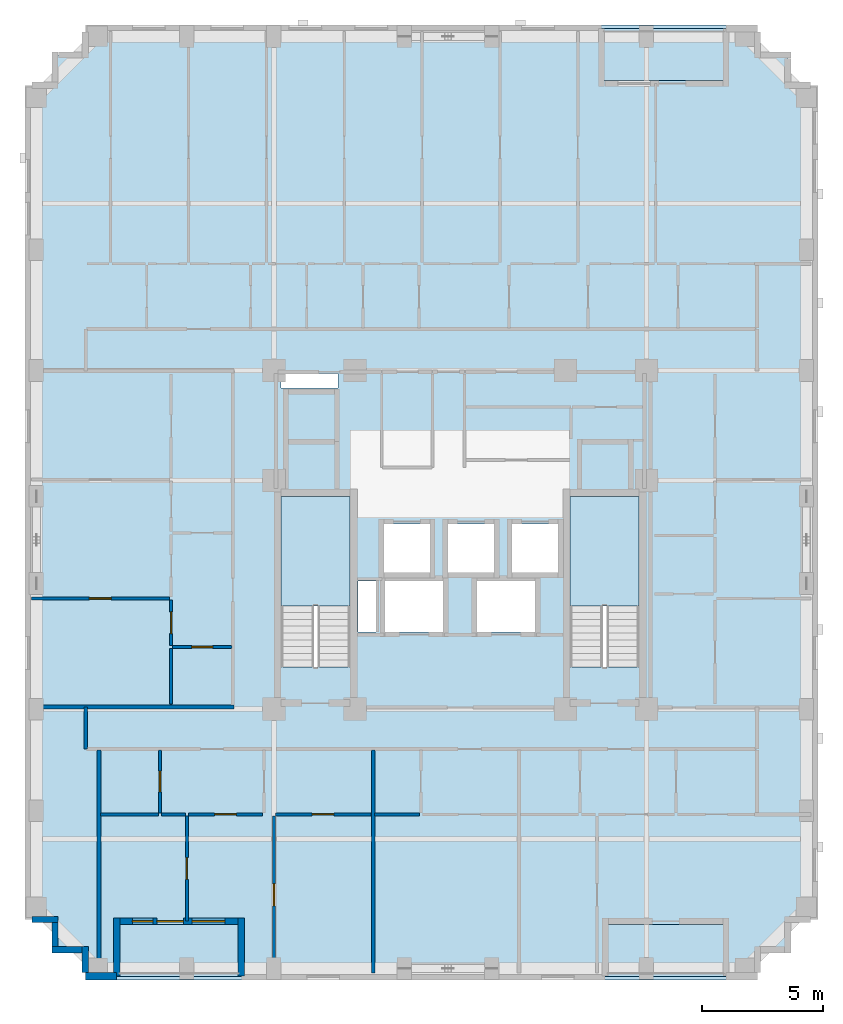
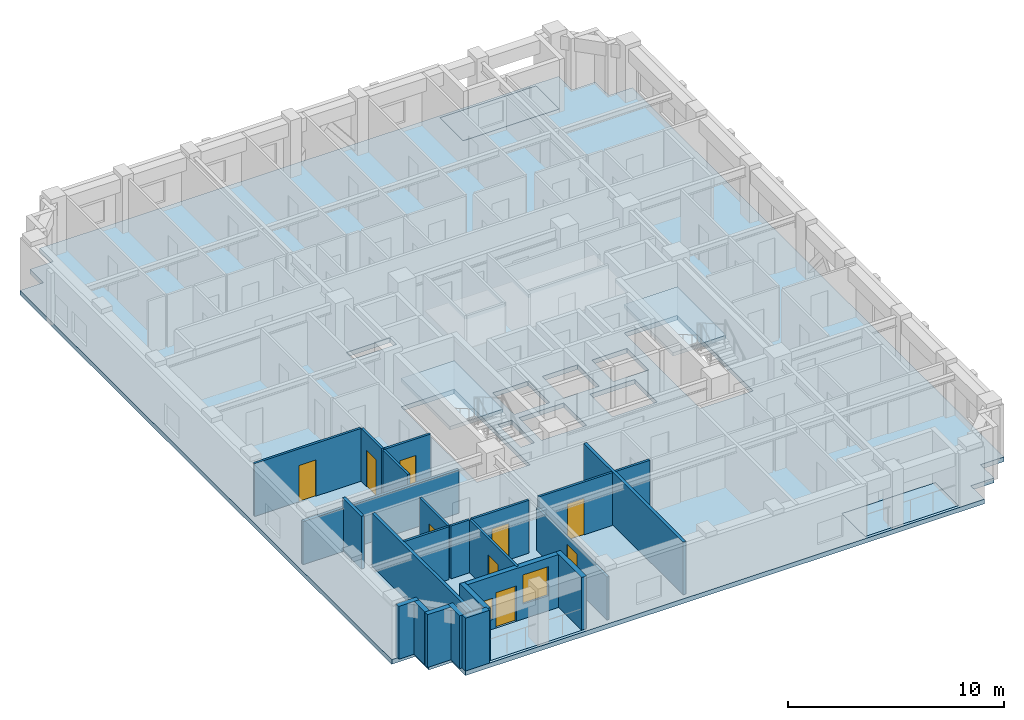
# One storey, part 2 of 11: 24 walls, 9 doors, 6 slabs, 2 windows, 11 openings, 2 elements without a shape of their own.
"""IFC4 building model written with IfcOpenShell, lengths in metres."""

import ifcopenshell
import ifcopenshell.guid

model = None  # the IFC model being written
_history = None  # IfcOwnerHistory: only IFC2X3 demands one
_inside = {}  # id of a spatial element -> (the spatial element, [elements in it])
_under = {}  # id of a project, library or spatial element -> (it, [spatial elements below it])
_declared = {}  # id of a project -> (the project, [libraries it declares])
_typed = {}  # id of a type object -> (the type object, [elements of that type])
_made_of = {}  # id of a material, layer set ... -> (it, [elements and type objects made of it])


def new_model(schema):
    """Start an empty IFC model of exactly this schema.

    Asked for "IFC4X3", IfcOpenShell would pick the latest addendum, in which some entities
    have other attributes; the version numbers below select the first issue.
    IFC2X3 requires an IfcOwnerHistory on every rooted entity: one is made here for all.
    """
    global model, _history
    if schema == "IFC4X3":
        model = ifcopenshell.file(schema_version=(4, 3, 0, 0))
    else:
        model = ifcopenshell.file(schema=schema)
    _inside.clear()
    _under.clear()
    _declared.clear()
    _typed.clear()
    _made_of.clear()
    _history = None
    if model.schema == "IFC2X3":
        org = make("IfcOrganization", Name="unknown")
        user = make(
            "IfcPersonAndOrganization",
            ThePerson=make("IfcPerson", FamilyName="unknown"),
            TheOrganization=org,
        )
        app = make(
            "IfcApplication",
            ApplicationDeveloper=org,
            Version="unknown",
            ApplicationFullName="unknown",
            ApplicationIdentifier="unknown",
        )
        _history = make(
            "IfcOwnerHistory",
            OwningUser=user,
            OwningApplication=app,
            ChangeAction="ADDED",
            CreationDate=0,
        )
    return model


def make(cls, **values):
    """One entity of the class cls with the attributes given. An attribute that is None is left unset."""
    return model.create_entity(
        cls, **{name: value for name, value in values.items() if value is not None}
    )


def rooted(cls, **values):
    """An entity with a GlobalId (a new one), such as an element, a storey or a relation."""
    return make(cls, GlobalId=ifcopenshell.guid.new(), OwnerHistory=_history, **values)


def si_unit(unit_type, name, prefix=None):
    """IfcSIUnit, for example si_unit("LENGTHUNIT", "METRE", prefix="MILLI")."""
    return make("IfcSIUnit", UnitType=unit_type, Prefix=prefix, Name=name)


def derived_unit(unit_type, elements):
    """IfcDerivedUnit: a product of units, each with its exponent."""
    return make(
        "IfcDerivedUnit",
        Elements=[
            make("IfcDerivedUnitElement", Unit=unit, Exponent=power)
            for unit, power in elements
        ],
        UnitType=unit_type,
    )


def assignment(units):
    """IfcUnitAssignment: the units of a project."""
    return None if units is None else make("IfcUnitAssignment", Units=units)


def point(xyz):
    """IfcCartesianPoint."""
    return None if xyz is None else make("IfcCartesianPoint", Coordinates=xyz)


def direction(xyz):
    """IfcDirection."""
    return None if xyz is None else make("IfcDirection", DirectionRatios=xyz)


def frame(location, z_axis=None, x_axis=None):
    """IfcAxis2Placement3D, a coordinate frame: its origin and axes. An axis left out is left unset."""
    return make(
        "IfcAxis2Placement3D",
        Location=point(location),
        Axis=direction(z_axis),
        RefDirection=direction(x_axis),
    )


def frame_2d(location, x_axis=None):
    """IfcAxis2Placement2D, a coordinate frame in the plane: its origin and x axis."""
    return make(
        "IfcAxis2Placement2D", Location=point(location), RefDirection=direction(x_axis)
    )


def origin():
    """The frame at (0, 0, 0) with its axes left unset."""
    return frame((0.0, 0.0, 0.0))


def place(relative_to, where):
    """IfcLocalPlacement: puts the frame where relative to a parent placement (None: the world)."""
    return make(
        "IfcLocalPlacement", PlacementRelTo=relative_to, RelativePlacement=where
    )


def context(
    kind, dimensions, precision=None, world=None, true_north=None, identifier=None
):
    """IfcGeometricRepresentationContext, for example the 3D "Model" context."""
    return make(
        "IfcGeometricRepresentationContext",
        ContextIdentifier=identifier,
        ContextType=kind,
        CoordinateSpaceDimension=dimensions,
        Precision=precision,
        WorldCoordinateSystem=world,
        TrueNorth=true_north,
    )


def subcontext(parent, identifier, kind, view, scale=None):
    """IfcGeometricRepresentationSubContext, for example "Body" below "Model"."""
    return make(
        "IfcGeometricRepresentationSubContext",
        ContextIdentifier=identifier,
        ContextType=kind,
        ParentContext=parent,
        TargetScale=scale,
        TargetView=view,
    )


def project(units=None, contexts=None):
    """IfcProject with its units and contexts."""
    return rooted(
        "IfcProject",
        Name="project",
        RepresentationContexts=contexts,
        UnitsInContext=assignment(units),
    )


def spatial(cls, under=None, at=None, **own):
    """A site, building, storey or space (cls), placed at a placement, below another one or the project."""
    s = rooted(cls, ObjectPlacement=at, **own)
    if under is not None:
        _under.setdefault(under.id(), (under, []))[1].append(s)
    return s


def polyline(points):
    """IfcPolyline through the points."""
    return make("IfcPolyline", Points=[point(p) for p in points])


def profile(cls, at=None, kind="AREA", **sizes):
    """A parametric profile (cls). Its sizes go by their IFC names, for example OverallWidth=200.0."""
    return make(cls, ProfileType=kind, Position=at, **sizes)


def rectangle(**sizes):
    """IfcRectangleProfileDef."""
    return profile("IfcRectangleProfileDef", **sizes)


def outline(outer, holes=None, kind="AREA"):
    """IfcArbitraryClosedProfileDef: a profile drawn as a closed curve; with holes, ...WithVoids."""
    if holes is None:
        return make("IfcArbitraryClosedProfileDef", ProfileType=kind, OuterCurve=outer)
    return make(
        "IfcArbitraryProfileDefWithVoids",
        ProfileType=kind,
        OuterCurve=outer,
        InnerCurves=holes,
    )


def extrude(swept, where, along, depth):
    """IfcExtrudedAreaSolid: the profile swept, set in the frame where, extruded along a direction by depth."""
    return make(
        "IfcExtrudedAreaSolid",
        SweptArea=swept,
        Position=where,
        ExtrudedDirection=direction(along),
        Depth=depth,
    )


def shape(context_of_items, identifier, shape_type, items):
    """IfcShapeRepresentation: the items that make up one representation, for example the "Body"."""
    return make(
        "IfcShapeRepresentation",
        ContextOfItems=context_of_items,
        RepresentationIdentifier=identifier,
        RepresentationType=shape_type,
        Items=items,
    )


def material(Name=None, Category=None):
    """IfcMaterial."""
    return make("IfcMaterial", Name=Name, Category=Category)


def layer(
    of_material, thickness, ventilated=None, Name=None, Category=None, Priority=None
):
    """IfcMaterialLayer: one layer of a wall or slab, of a material (None: an air gap)."""
    return make(
        "IfcMaterialLayer",
        Material=of_material,
        LayerThickness=thickness,
        IsVentilated=ventilated,
        Name=Name,
        Category=Category,
        Priority=Priority,
    )


def layer_set(layers, Name=None):
    """IfcMaterialLayerSet."""
    return make("IfcMaterialLayerSet", MaterialLayers=layers, LayerSetName=Name)


def made_of(thing, what):
    """Note that an element or type object is made of a material, layer set ...; save() writes the relation."""
    if what is not None:
        _made_of.setdefault(what.id(), (what, []))[1].append(thing)
    return thing


def type_object(cls, material=None, **own):
    """A type object (cls), such as IfcWallType, which elements share."""
    return made_of(rooted(cls, **own), material)


def element(
    cls,
    number,
    at=None,
    inside=None,
    cuts=None,
    type_object=None,
    material=None,
    context=None,
    identifier="Body",
    shape_type=None,
    held_by="IfcProductDefinitionShape",
    body=None,
    shapes=None,
    **own,
):
    """One element of the class cls, such as IfcWall. Its Tag is "e" and its number.

    at: its placement. inside: the storey or other place that contains it. cuts: it is an
    opening in that element (IfcRelVoidsElement). A single representation is given by context,
    identifier, shape_type and body (its items); several are given by shapes. held_by: the class
    of the entity that holds the representations. save() writes the other relations.
    """
    e = rooted(cls, Tag="e%d" % number, ObjectPlacement=at, **own)
    if body is not None:
        shapes = [shape(context, identifier, shape_type, body)]
    if shapes is not None:
        e.Representation = make(held_by, Representations=shapes)
    if inside is not None:
        _inside.setdefault(inside.id(), (inside, []))[1].append(e)
    if cuts is not None:
        rooted(
            "IfcRelVoidsElement", RelatingBuildingElement=cuts, RelatedOpeningElement=e
        )
    if type_object is not None:
        _typed.setdefault(type_object.id(), (type_object, []))[1].append(e)
    return made_of(e, material)


def fill(opening, filler):
    """IfcRelFillsElement: the door or window that sits in an opening."""
    return rooted(
        "IfcRelFillsElement",
        RelatingOpeningElement=opening,
        RelatedBuildingElement=filler,
    )


def aggregate(whole, parts):
    """IfcRelAggregates: a whole, such as a stair, and the parts it consists of."""
    return rooted("IfcRelAggregates", RelatingObject=whole, RelatedObjects=parts)


def save(model, path):
    """Write the relations noted so far, then the file.

    IfcRelAggregates (storeys below a building ...), IfcRelContainedInSpatialStructure (elements
    in a storey), IfcRelDefinesByType, IfcRelAssociatesMaterial and IfcRelDeclares: one each for
    every whole, place, type object, material and project.
    """
    for whole, parts in _under.values():
        aggregate(whole, parts)
    for where, things in _inside.values():
        rooted(
            "IfcRelContainedInSpatialStructure",
            RelatedElements=things,
            RelatingStructure=where,
        )
    for kind, things in _typed.values():
        rooted("IfcRelDefinesByType", RelatedObjects=things, RelatingType=kind)
    for what, things in _made_of.values():
        rooted("IfcRelAssociatesMaterial", RelatedObjects=things, RelatingMaterial=what)
    for by, libraries in _declared.values():
        rooted("IfcRelDeclares", RelatingContext=by, RelatedDefinitions=libraries)
    model.write(path)


model = new_model("IFC4")

# Units and contexts
model_context = context("Model", 3, precision=1e-05, world=origin(), true_north=direction((0.0, 1.0)))
body_context = subcontext(model_context, "Body", "Model", "MODEL_VIEW")
ifc_project = project(units=[si_unit("LENGTHUNIT", "METRE"), si_unit("AREAUNIT", "SQUARE_METRE"), si_unit("VOLUMEUNIT", "CUBIC_METRE"), si_unit("PLANEANGLEUNIT", "RADIAN"), si_unit("MASSUNIT", "GRAM", prefix="KILO"), derived_unit("THERMALTRANSMITTANCEUNIT", [(si_unit("MASSUNIT", "GRAM", prefix="KILO"), 1), (si_unit("TIMEUNIT", "SECOND"), -3), (si_unit("THERMODYNAMICTEMPERATUREUNIT", "KELVIN"), -1)])], contexts=[model_context])

# Site, building, storey
site_placement = place(None, origin())
site = spatial("IfcSite", under=ifc_project, at=site_placement, CompositionType="ELEMENT")
building_placement = place(site_placement, origin())
building = spatial("IfcBuilding", under=site, at=building_placement, Name="Korrvale Station Residences", CompositionType="ELEMENT")
storey_placement = place(building_placement, frame((0.0, 0.0, 160.14990234375)))
storey = spatial("IfcBuildingStorey", under=building, at=storey_placement, Name="L46", CompositionType="ELEMENT", Elevation=160.14990234375)

# Slabs
ifc_material_1 = material(Name="Concrete C50/60", Category="concrete")
ifc_layer_1 = layer(ifc_material_1, 0.219970703125, Name="Concrete C50/60")
ifc_layer_set_1 = layer_set([ifc_layer_1], Name="Concrete C50/60")
slab_type_1 = type_object("IfcSlabType", Name="SLB-BAL-220", PredefinedType="FLOOR", material=ifc_layer_set_1)
slab_1_placement = place(storey_placement, frame((0.0, 0.0, -0.219970703125)))
element("IfcSlab", 1, at=slab_1_placement, inside=storey, type_object=slab_type_1, Name="L46 Recessed Loggia Balcony Slab BAL-L46-S1", PredefinedType="FLOOR", context=body_context, shape_type="SweptSolid", body=[
    extrude(outline(polyline([(11.300048828125, 3.949951171875), (16.449951171875, 3.949951171875), (16.449951171875, 6.10009765625), (11.300048828125, 6.10009765625), (11.300048828125, 3.949951171875)])), origin(), (0.0, 0.0, 1.0), 0.219970703125),
])
slab_2_placement = place(storey_placement, frame((0.0, 0.0, -0.219970703125)))
element("IfcSlab", 2, at=slab_2_placement, inside=storey, type_object=slab_type_1, Name="L46 Recessed Loggia Balcony Slab BAL-L46-N1", PredefinedType="FLOOR", context=body_context, shape_type="SweptSolid", body=[
    extrude(outline(polyline([(31.35009765625, 41.0), (36.5, 41.0), (36.5, 43.14990234375), (31.35009765625, 43.14990234375), (31.35009765625, 41.0)])), origin(), (0.0, 0.0, 1.0), 0.219970703125),
])
slab_3_placement = place(storey_placement, frame((0.0, 0.0, -0.219970703125)))
element("IfcSlab", 3, at=slab_3_placement, inside=storey, type_object=slab_type_1, Name="L46 Recessed Loggia Balcony Slab BAL-L46-S2", PredefinedType="FLOOR", context=body_context, shape_type="SweptSolid", body=[
    extrude(outline(polyline([(31.5, 3.949951171875), (36.5, 3.949951171875), (36.5, 6.10009765625), (31.5, 6.10009765625), (31.5, 3.949951171875)])), origin(), (0.0, 0.0, 1.0), 0.219970703125),
])
ifc_layer_2 = layer(ifc_material_1, 0.260009765625, Name="Concrete C50/60")
ifc_layer_set_2 = layer_set([ifc_layer_2], Name="Concrete C50/60")
slab_type_2 = type_object("IfcSlabType", Name="SLB-FLR-260", PredefinedType="FLOOR", material=ifc_layer_set_2)
slab_4_placement = place(storey_placement, frame((0.0, 0.0, -0.260009765625)))
element("IfcSlab", 4, at=slab_4_placement, inside=storey, type_object=slab_type_2, Name="L46 Suspended Structural Floor Slab", PredefinedType="FLOOR", context=body_context, shape_type="SweptSolid", body=[
    extrude(outline(polyline([(10.0, 3.800048828125), (37.800048828125, 3.800048828125), (37.800048828125, 5.050048828125), (39.050048828125, 5.050048828125), (39.050048828125, 6.300048828125), (40.300048828125, 6.300048828125), (40.300048828125, 40.800048828125), (39.050048828125, 40.800048828125), (39.050048828125, 42.050048828125), (37.800048828125, 42.050048828125), (37.800048828125, 43.300048828125), (10.0, 43.300048828125), (10.0, 42.050048828125), (8.75, 42.050048828125), (8.75, 40.800048828125), (7.5, 40.800048828125), (7.5, 6.300048828125), (8.75, 6.300048828125), (8.75, 5.050048828125), (10.0, 5.050048828125), (10.0, 3.800048828125)]), holes=[polyline([(20.949951171875, 16.751953125), (20.949951171875, 23.800048828125), (18.10009765625, 23.800048828125), (18.10009765625, 16.751953125), (20.949951171875, 16.751953125)]), polyline([(32.89990234375, 16.751953125), (32.89990234375, 23.800048828125), (30.050048828125, 23.800048828125), (30.050048828125, 16.751953125), (32.89990234375, 16.751953125)]), polyline([(22.35009765625, 20.64990234375), (24.25, 20.64990234375), (24.25, 22.64990234375), (22.35009765625, 22.64990234375), (22.35009765625, 20.64990234375)]), polyline([(25.0, 20.64990234375), (26.89990234375, 20.64990234375), (26.89990234375, 22.64990234375), (25.0, 22.64990234375), (25.0, 20.64990234375)]), polyline([(27.64990234375, 20.64990234375), (29.550048828125, 20.64990234375), (29.550048828125, 22.64990234375), (27.64990234375, 22.64990234375), (27.64990234375, 20.64990234375)]), polyline([(22.39990234375, 18.199951171875), (24.800048828125, 18.199951171875), (24.800048828125, 20.300048828125), (22.39990234375, 20.300048828125), (22.39990234375, 18.199951171875)]), polyline([(26.199951171875, 18.199951171875), (28.60009765625, 18.199951171875), (28.60009765625, 20.300048828125), (26.199951171875, 20.300048828125), (26.199951171875, 18.199951171875)]), polyline([(18.10009765625, 28.280029296875), (20.449951171875, 28.280029296875), (20.449951171875, 28.8798828125), (18.10009765625, 28.8798828125), (18.10009765625, 28.280029296875)]), polyline([(21.280029296875, 18.199951171875), (22.02001953125, 18.199951171875), (22.02001953125, 20.300048828125), (21.280029296875, 20.300048828125), (21.280029296875, 18.199951171875)]), polyline([(11.300048828125, 3.949951171875), (16.449951171875, 3.949951171875), (16.449951171875, 6.10009765625), (11.300048828125, 6.10009765625), (11.300048828125, 3.949951171875)]), polyline([(31.35009765625, 41.0), (36.5, 41.0), (36.5, 43.14990234375), (31.35009765625, 43.14990234375), (31.35009765625, 41.0)]), polyline([(31.5, 3.949951171875), (36.5, 3.949951171875), (36.5, 6.10009765625), (31.5, 6.10009765625), (31.5, 3.949951171875)])]), origin(), (0.0, 0.0, 1.0), 0.260009765625),
])

# Stair, slab
stair_type = type_object("IfcStairType", Name="STR-DL-1350-20R-1625", PredefinedType="HALF_TURN_STAIR", material=ifc_material_1)
stair_1_placement = place(storey_placement, origin())
stair_1 = element("IfcStair", 5, at=stair_1_placement, inside=storey, type_object=stair_type, Name="L46 Exit Stair 1", PredefinedType="HALF_TURN_STAIR")
ifc_layer_3 = layer(ifc_material_1, 0.199951171875, Name="Concrete C50/60")
ifc_layer_set_3 = layer_set([ifc_layer_3], Name="Concrete C50/60")
slab_type_3 = type_object("IfcSlabType", Name="SLB-LND-200", PredefinedType="LANDING", material=ifc_layer_set_3)
slab_5_placement = place(storey_placement, frame((0.0, 0.0, 1.425048828125)))
slab_5 = element("IfcSlab", 6, at=slab_5_placement, type_object=slab_type_3, Name="ST-1 landing 1", PredefinedType="LANDING", context=body_context, shape_type="SweptSolid", body=[
    extrude(outline(polyline([(20.949951171875, 19.27001953125), (20.949951171875, 23.800048828125), (18.10009765625, 23.800048828125), (18.10009765625, 19.27001953125), (20.949951171875, 19.27001953125)])), origin(), (0.0, 0.0, 1.0), 0.199951171875),
])
aggregate(stair_1, [slab_5])

stair_2_placement = place(storey_placement, origin())
stair_2 = element("IfcStair", 7, at=stair_2_placement, inside=storey, type_object=stair_type, Name="L46 Exit Stair 2", PredefinedType="HALF_TURN_STAIR")
slab_6_placement = place(storey_placement, frame((0.0, 0.0, 1.425048828125)))
slab_6 = element("IfcSlab", 8, at=slab_6_placement, type_object=slab_type_3, Name="ST-2 landing 1", PredefinedType="LANDING", context=body_context, shape_type="SweptSolid", body=[
    extrude(outline(polyline([(32.89990234375, 19.27001953125), (32.89990234375, 23.800048828125), (30.050048828125, 23.800048828125), (30.050048828125, 19.27001953125), (32.89990234375, 19.27001953125)])), origin(), (0.0, 0.0, 1.0), 0.199951171875),
])
aggregate(stair_2, [slab_6])

# Wall
ifc_material_2 = material(Name="Precast concrete C45/55", Category="concrete")
ifc_layer_4 = layer(ifc_material_2, 0.260009765625, Name="Precast concrete C45/55")
ifc_layer_set_4 = layer_set([ifc_layer_4], Name="Precast concrete C45/55")
wall_type_1 = type_object("IfcWallType", Name="WAL-EXT-LOG260", PredefinedType="SOLIDWALL", material=ifc_layer_set_4)
wall_1_placement = place(storey_placement, frame((16.449951171875, 3.9599609375, 0.0), z_axis=(0.0, 0.0, 1.0), x_axis=(0.0, 1.0, 0.0)))
element("IfcWall", 9, at=wall_1_placement, inside=storey, type_object=wall_type_1, Name="L46 Recessed Loggia Wall BAL-L46-S1-L", PredefinedType="SOLIDWALL", context=body_context, shape_type="SweptSolid", body=[
    extrude(rectangle(XDim=2.400146484375, YDim=0.260009765625, at=frame_2d((1.2001953125, 0.0))), origin(), (0.0, 0.0, 1.0), 2.989990234375),
])

# Wall, openings, door, windows
wall_2_placement = place(storey_placement, frame((16.31591796875, 6.22998046875, 0.0), z_axis=(0.0, 0.0, 1.0), x_axis=(-1.0, 0.0, 0.0)))
wall_2 = element("IfcWall", 10, at=wall_2_placement, inside=storey, type_object=wall_type_1, Name="L46 Recessed Loggia Wall BAL-L46-S1-B", PredefinedType="SOLIDWALL", context=body_context, shape_type="SweptSolid", body=[
    extrude(rectangle(XDim=4.8818359375, YDim=0.260009765625, at=frame_2d((2.44091796875, 0.0))), origin(), (0.0, 0.0, 1.0), 2.989990234375),
])
opening_1_placement = place(wall_2_placement, frame((2.256103515625, 0.0, 0.0)))
opening_1 = element("IfcOpeningElement", 11, at=opening_1_placement, cuts=wall_2, Name="Opening BD-01", PredefinedType="OPENING", context=body_context, shape_type="SweptSolid", body=[
    extrude(rectangle(XDim=1.10009765625, YDim=2.0, at=frame_2d((0.550048828125, 1.0))), frame((0.0, 0.14013671875, 0.0), z_axis=(0.0, -1.0, 0.0), x_axis=(1.0, 0.0, 0.0)), (0.0, 0.0, 1.0), 0.280029296875),
])
opening_2_placement = place(wall_2_placement, frame((3.51611328125, 0.0, 0.550048828125)))
opening_2 = element("IfcOpeningElement", 12, at=opening_2_placement, cuts=wall_2, Name="Opening W-11", PredefinedType="OPENING", context=body_context, shape_type="SweptSolid", body=[
    extrude(rectangle(XDim=0.85009765625, YDim=1.199951171875, at=frame_2d((0.425048828125, 0.60009765625))), frame((0.0, 0.14013671875, 0.0), z_axis=(0.0, -1.0, 0.0), x_axis=(1.0, 0.0, 0.0)), (0.0, 0.0, 1.0), 0.280029296875),
])
opening_3_placement = place(wall_2_placement, frame((0.544921875, 0.0, 0.85009765625)))
opening_3 = element("IfcOpeningElement", 13, at=opening_3_placement, cuts=wall_2, Name="Opening W-06", PredefinedType="OPENING", context=body_context, shape_type="SweptSolid", body=[
    extrude(rectangle(XDim=1.35009765625, YDim=1.64990234375, at=frame_2d((0.675048828125, 0.824951171875))), frame((0.0, 0.14013671875, 0.0), z_axis=(0.0, -1.0, 0.0), x_axis=(1.0, 0.0, 0.0)), (0.0, 0.0, 1.0), 0.280029296875),
])
ifc_material_3 = material(Name="Exterior thermally broken aluminium glazed balcony door", Category="aluminium")
door_type_1 = type_object("IfcDoorType", Name="DR-EXT-BAL", OperationType="NOTDEFINED", PredefinedType="DOOR", material=ifc_material_3)
door_1_placement = place(opening_1_placement, origin())
door_1 = element("IfcDoor", 14, at=door_1_placement, inside=storey, type_object=door_type_1, Name="L46 Loggia Balcony Door BAL-L46-S1", OperationType="SINGLE_SWING_LEFT", OverallHeight=2.0, OverallWidth=1.10009765625, PredefinedType="DOOR", context=body_context, shape_type="SweptSolid", body=[
    extrude(rectangle(XDim=1.10009765625, YDim=2.0, at=frame_2d((0.550048828125, 1.0))), frame((0.0, 0.02490234375, 0.0), z_axis=(0.0, -1.0, 0.0), x_axis=(1.0, 0.0, 0.0)), (0.0, 0.0, 1.0), 0.050048828125),
])
fill(opening_1, door_1)
ifc_material_4 = material(Name="Thermally broken aluminium frame with triple low-e glazing", Category="aluminium")
window_type_1 = type_object("IfcWindowType", Name="WIN-W06", PartitioningType="SINGLE_PANEL", PredefinedType="WINDOW", material=ifc_material_4)
window_1_placement = place(opening_3_placement, origin())
window_1 = element("IfcWindow", 15, at=window_1_placement, inside=storey, type_object=window_type_1, Name="L46 Punched Window 02", OverallHeight=1.64990234375, OverallWidth=1.35009765625, PartitioningType="SINGLE_PANEL", PredefinedType="WINDOW", context=body_context, shape_type="SweptSolid", body=[
    extrude(rectangle(XDim=1.35009765625, YDim=1.64990234375, at=frame_2d((0.675048828125, 0.824951171875))), frame((0.0, 0.030029296875, 0.0), z_axis=(0.0, -1.0, 0.0), x_axis=(1.0, 0.0, 0.0)), (0.0, 0.0, 1.0), 0.06005859375),
])
fill(opening_3, window_1)
window_type_2 = type_object("IfcWindowType", Name="WIN-W11", PartitioningType="SINGLE_PANEL", PredefinedType="WINDOW", material=ifc_material_4)
window_2_placement = place(opening_2_placement, origin())
window_2 = element("IfcWindow", 16, at=window_2_placement, inside=storey, type_object=window_type_2, Name="L46 Punched Window 01", OverallHeight=1.199951171875, OverallWidth=0.85009765625, PartitioningType="SINGLE_PANEL", PredefinedType="WINDOW", context=body_context, shape_type="SweptSolid", body=[
    extrude(rectangle(XDim=0.85009765625, YDim=1.199951171875, at=frame_2d((0.425048828125, 0.60009765625))), frame((0.0, 0.030029296875, 0.0), z_axis=(0.0, -1.0, 0.0), x_axis=(1.0, 0.0, 0.0)), (0.0, 0.0, 1.0), 0.06005859375),
])
fill(opening_2, window_2)

# Walls
wall_3_placement = place(storey_placement, frame((11.300048828125, 6.360107421875, 0.0), z_axis=(0.0, 0.0, 1.0), x_axis=(0.0, -1.0, 0.0)))
element("IfcWall", 17, at=wall_3_placement, inside=storey, type_object=wall_type_1, Name="L46 Recessed Loggia Wall BAL-L46-S1-R", PredefinedType="SOLIDWALL", context=body_context, shape_type="SweptSolid", body=[
    extrude(rectangle(XDim=2.400146484375, YDim=0.260009765625, at=frame_2d((1.2001953125, 0.0))), origin(), (0.0, 0.0, 1.0), 2.989990234375),
])
wall_4_placement = place(storey_placement, frame((10.0, 4.10205078125, 0.0), z_axis=(0.0, 0.0, 1.0), x_axis=(0.0, 1.0, 0.0)))
element("IfcWall", 18, at=wall_4_placement, inside=storey, type_object=wall_type_1, Name="L46 Serrated Corner Precast Step SW-1", PredefinedType="SOLIDWALL", context=body_context, shape_type="SweptSolid", body=[
    extrude(rectangle(XDim=1.077880859375, YDim=0.260009765625, at=frame_2d((0.5390625, 0.0))), origin(), (0.0, 0.0, 1.0), 2.989990234375),
])
wall_5_placement = place(storey_placement, frame((9.867919921875, 5.050048828125, 0.0), z_axis=(0.0, 0.0, 1.0), x_axis=(-1.0, 0.0, 0.0)))
element("IfcWall", 19, at=wall_5_placement, inside=storey, type_object=wall_type_1, Name="L46 Serrated Corner Precast Step SW-2", PredefinedType="SOLIDWALL", context=body_context, shape_type="SweptSolid", body=[
    extrude(rectangle(XDim=1.247802734375, YDim=0.260009765625, at=frame_2d((0.6240234375, 0.0))), origin(), (0.0, 0.0, 1.0), 2.989990234375),
])
wall_6_placement = place(storey_placement, frame((8.75, 5.181884765625, 0.0), z_axis=(0.0, 0.0, 1.0), x_axis=(0.0, 1.0, 0.0)))
element("IfcWall", 20, at=wall_6_placement, inside=storey, type_object=wall_type_1, Name="L46 Serrated Corner Precast Step SW-3", PredefinedType="SOLIDWALL", context=body_context, shape_type="SweptSolid", body=[
    extrude(rectangle(XDim=0.986083984375, YDim=0.260009765625, at=frame_2d((0.4931640625, 0.0))), origin(), (0.0, 0.0, 1.0), 2.989990234375),
])
wall_7_placement = place(storey_placement, frame((8.8798828125, 6.300048828125, 0.0), z_axis=(0.0, 0.0, 1.0), x_axis=(-1.0, 0.0, 0.0)))
element("IfcWall", 21, at=wall_7_placement, inside=storey, type_object=wall_type_1, Name="L46 Serrated Corner Precast Step SW-4", PredefinedType="SOLIDWALL", context=body_context, shape_type="SweptSolid", body=[
    extrude(rectangle(XDim=1.077880859375, YDim=0.260009765625, at=frame_2d((0.5390625, 0.0))), origin(), (0.0, 0.0, 1.0), 2.989990234375),
])
ifc_layer_5 = layer(ifc_material_2, 0.300048828125, Name="Precast concrete C45/55")
ifc_layer_set_5 = layer_set([ifc_layer_5], Name="Precast concrete C45/55")
wall_type_2 = type_object("IfcWallType", Name="WAL-EXT-PC300", PredefinedType="SOLIDWALL", material=ifc_layer_set_5)
wall_8_placement = place(storey_placement, frame((11.300048828125, 3.949951171875, 0.0), z_axis=(0.0, 0.0, 1.0), x_axis=(-1.0, 0.0, 0.0)))
element("IfcWall", 22, at=wall_8_placement, inside=storey, type_object=wall_type_2, Name="L46 South Exterior Precast Wall 3", PredefinedType="SOLIDWALL", context=body_context, shape_type="SweptSolid", body=[
    extrude(rectangle(XDim=1.300048828125, YDim=0.300048828125, at=frame_2d((0.64990234375, 0.0))), origin(), (0.0, 0.0, 1.0), 2.989990234375),
])

# Wall, opening, door
ifc_material_5 = material(Name="Acoustic steel-stud gypsum board partition", Category="steel")
ifc_layer_6 = layer(ifc_material_5, 0.1201171875, Name="Acoustic steel-stud gypsum board partition")
ifc_layer_set_6 = layer_set([ifc_layer_6], Name="Acoustic steel-stud gypsum board partition")
wall_type_3 = type_object("IfcWallType", Name="WAL-PART-125", PredefinedType="PARTITIONING", material=ifc_layer_set_6)
wall_9_placement = place(storey_placement, frame((13.090087890625, 10.7099609375, 0.0), z_axis=(0.0, 0.0, 1.0), x_axis=(0.0, 1.0, 0.0)))
wall_9 = element("IfcWall", 23, at=wall_9_placement, inside=storey, type_object=wall_type_3, Name="L46 Suite Partition U01-V01", PredefinedType="PARTITIONING", context=body_context, shape_type="SweptSolid", body=[
    extrude(rectangle(XDim=2.60009765625, YDim=0.1201171875, at=frame_2d((1.300048828125, 0.0))), origin(), (0.0, 0.0, 1.0), 2.989990234375),
])
opening_4_placement = place(wall_9_placement, frame((0.8701171875, 0.0, 0.0)))
opening_4 = element("IfcOpeningElement", 24, at=opening_4_placement, cuts=wall_9, Name="Opening DB-860", PredefinedType="OPENING", context=body_context, shape_type="SweptSolid", body=[
    extrude(rectangle(XDim=0.860107421875, YDim=2.050048828125, at=frame_2d((0.43017578125, 1.02490234375))), frame((0.0, 0.070068359375, 0.0), z_axis=(0.0, -1.0, 0.0), x_axis=(1.0, 0.0, 0.0)), (0.0, 0.0, 1.0), 0.14013671875),
])
ifc_material_6 = material(Name="Moisture-resistant solid-core bathroom door", Category="timber")
door_type_2 = type_object("IfcDoorType", Name="DR-BATH-860", OperationType="NOTDEFINED", PredefinedType="DOOR", material=ifc_material_6)
door_2_placement = place(opening_4_placement, origin())
door_2 = element("IfcDoor", 25, at=door_2_placement, inside=storey, type_object=door_type_2, Name="L46 Apartment 1BR L46-U01 Bathroom Door", OperationType="SINGLE_SWING_LEFT", OverallHeight=2.050048828125, OverallWidth=0.860107421875, PredefinedType="DOOR", context=body_context, shape_type="SweptSolid", body=[
    extrude(rectangle(XDim=0.860107421875, YDim=2.050048828125, at=frame_2d((0.43017578125, 1.02490234375))), frame((0.0, 0.02490234375, 0.0), z_axis=(0.0, -1.0, 0.0), x_axis=(1.0, 0.0, 0.0)), (0.0, 0.0, 1.0), 0.050048828125),
])
fill(opening_4, door_2)

# Walls
wall_10_placement = place(storey_placement, frame((10.6298828125, 10.64990234375, 0.0), z_axis=(0.0, 0.0, 1.0), x_axis=(1.0, 0.0, 0.0)))
element("IfcWall", 26, at=wall_10_placement, inside=storey, type_object=wall_type_3, Name="L46 Suite Partition U01-H03", PredefinedType="PARTITIONING", context=body_context, shape_type="SweptSolid", body=[
    extrude(rectangle(XDim=2.400146484375, YDim=0.1201171875, at=frame_2d((1.2001953125, 0.0))), origin(), (0.0, 0.0, 1.0), 2.989990234375),
])
wall_11_placement = place(storey_placement, frame((13.14990234375, 10.64990234375, 0.0), z_axis=(0.0, 0.0, 1.0), x_axis=(1.0, 0.0, 0.0)))
element("IfcWall", 27, at=wall_11_placement, inside=storey, type_object=wall_type_3, Name="L46 Suite Partition U01-H13", PredefinedType="PARTITIONING", context=body_context, shape_type="SweptSolid", body=[
    extrude(rectangle(XDim=0.989990234375, YDim=0.1201171875, at=frame_2d((0.4951171875, 0.0))), origin(), (0.0, 0.0, 1.0), 2.989990234375),
])

# Wall, opening, door
wall_12_placement = place(storey_placement, frame((14.260009765625, 10.64990234375, 0.0), z_axis=(0.0, 0.0, 1.0), x_axis=(1.0, 0.0, 0.0)))
wall_12 = element("IfcWall", 28, at=wall_12_placement, inside=storey, type_object=wall_type_3, Name="L46 Suite Partition U01-H14", PredefinedType="PARTITIONING", context=body_context, shape_type="SweptSolid", body=[
    extrude(rectangle(XDim=3.070068359375, YDim=0.1201171875, at=frame_2d((1.53515625, 0.0))), origin(), (0.0, 0.0, 1.0), 2.989990234375),
])
opening_5_placement = place(wall_12_placement, frame((1.0849609375, 0.0, 0.0)))
opening_5 = element("IfcOpeningElement", 29, at=opening_5_placement, cuts=wall_12, Name="Opening DI-900", PredefinedType="OPENING", context=body_context, shape_type="SweptSolid", body=[
    extrude(rectangle(XDim=0.89990234375, YDim=2.050048828125, at=frame_2d((0.449951171875, 1.02490234375))), frame((0.0, 0.070068359375, 0.0), z_axis=(0.0, -1.0, 0.0), x_axis=(1.0, 0.0, 0.0)), (0.0, 0.0, 1.0), 0.14013671875),
])
ifc_material_7 = material(Name="Painted solid-core timber interior room door", Category="wood")
door_type_3 = type_object("IfcDoorType", Name="DR-INT-900", OperationType="NOTDEFINED", PredefinedType="DOOR", material=ifc_material_7)
door_3_placement = place(opening_5_placement, origin())
door_3 = element("IfcDoor", 30, at=door_3_placement, inside=storey, type_object=door_type_3, Name="L46 Apartment 1BR L46-U01 Kitchen Door", OperationType="SINGLE_SWING_LEFT", OverallHeight=2.050048828125, OverallWidth=0.89990234375, PredefinedType="DOOR", context=body_context, shape_type="SweptSolid", body=[
    extrude(rectangle(XDim=0.89990234375, YDim=2.050048828125, at=frame_2d((0.449951171875, 1.02490234375))), frame((0.0, 0.02490234375, 0.0), z_axis=(0.0, -1.0, 0.0), x_axis=(1.0, 0.0, 0.0)), (0.0, 0.0, 1.0), 0.050048828125),
])
fill(opening_5, door_3)

wall_13_placement = place(storey_placement, frame((17.860107421875, 10.64990234375, 0.0), z_axis=(0.0, 0.0, 1.0), x_axis=(1.0, 0.0, 0.0)))
wall_13 = element("IfcWall", 31, at=wall_13_placement, inside=storey, type_object=wall_type_3, Name="L46 Suite Partition U01-H25", PredefinedType="PARTITIONING", context=body_context, shape_type="SweptSolid", body=[
    extrude(rectangle(XDim=3.947998046875, YDim=0.1201171875, at=frame_2d((1.97412109375, 0.0))), origin(), (0.0, 0.0, 1.0), 2.989990234375),
])
opening_6_placement = place(wall_13_placement, frame((1.52392578125, 0.0, 0.0)))
opening_6 = element("IfcOpeningElement", 32, at=opening_6_placement, cuts=wall_13, Name="Opening DI-900", PredefinedType="OPENING", context=body_context, shape_type="SweptSolid", body=[
    extrude(rectangle(XDim=0.89990234375, YDim=2.050048828125, at=frame_2d((0.449951171875, 1.02490234375))), frame((0.0, 0.070068359375, 0.0), z_axis=(0.0, -1.0, 0.0), x_axis=(1.0, 0.0, 0.0)), (0.0, 0.0, 1.0), 0.14013671875),
])
door_4_placement = place(opening_6_placement, origin())
door_4 = element("IfcDoor", 33, at=door_4_placement, inside=storey, type_object=door_type_3, Name="L46 Apartment 1BR L46-U01 Home Study Room Door", OperationType="SINGLE_SWING_RIGHT", OverallHeight=2.050048828125, OverallWidth=0.89990234375, PredefinedType="DOOR", context=body_context, shape_type="SweptSolid", body=[
    extrude(rectangle(XDim=0.89990234375, YDim=2.050048828125, at=frame_2d((0.449951171875, 1.02490234375))), frame((0.0, 0.02490234375, 0.0), z_axis=(0.0, -1.0, 0.0), x_axis=(1.0, 0.0, 0.0)), (0.0, 0.0, 1.0), 0.050048828125),
])
fill(opening_6, door_4)

wall_14_placement = place(storey_placement, frame((14.199951171875, 6.22998046875, 0.0), z_axis=(0.0, 0.0, 1.0), x_axis=(0.0, 1.0, 0.0)))
wall_14 = element("IfcWall", 34, at=wall_14_placement, inside=storey, type_object=wall_type_3, Name="L46 Suite Partition U01-V34", PredefinedType="PARTITIONING", context=body_context, shape_type="SweptSolid", body=[
    extrude(rectangle(XDim=4.360107421875, YDim=0.1201171875, at=frame_2d((2.18017578125, 0.0))), origin(), (0.0, 0.0, 1.0), 2.989990234375),
])
opening_7_placement = place(wall_14_placement, frame((1.72998046875, 0.0, 0.0)))
opening_7 = element("IfcOpeningElement", 35, at=opening_7_placement, cuts=wall_14, Name="Opening DI-900", PredefinedType="OPENING", context=body_context, shape_type="SweptSolid", body=[
    extrude(rectangle(XDim=0.89990234375, YDim=2.050048828125, at=frame_2d((0.449951171875, 1.02490234375))), frame((0.0, 0.070068359375, 0.0), z_axis=(0.0, -1.0, 0.0), x_axis=(1.0, 0.0, 0.0)), (0.0, 0.0, 1.0), 0.14013671875),
])
door_5_placement = place(opening_7_placement, origin())
door_5 = element("IfcDoor", 36, at=door_5_placement, inside=storey, type_object=door_type_3, Name="L46 Apartment 1BR L46-U01 Living and Dining Room Door", OperationType="SINGLE_SWING_LEFT", OverallHeight=2.050048828125, OverallWidth=0.89990234375, PredefinedType="DOOR", context=body_context, shape_type="SweptSolid", body=[
    extrude(rectangle(XDim=0.89990234375, YDim=2.050048828125, at=frame_2d((0.449951171875, 1.02490234375))), frame((0.0, 0.02490234375, 0.0), z_axis=(0.0, -1.0, 0.0), x_axis=(1.0, 0.0, 0.0)), (0.0, 0.0, 1.0), 0.050048828125),
])
fill(opening_7, door_5)

wall_15_placement = place(storey_placement, frame((17.800048828125, 4.080078125, 0.0), z_axis=(0.0, 0.0, 1.0), x_axis=(0.0, 1.0, 0.0)))
wall_15 = element("IfcWall", 37, at=wall_15_placement, inside=storey, type_object=wall_type_3, Name="L46 Suite Partition U01-V45", PredefinedType="PARTITIONING", context=body_context, shape_type="SweptSolid", body=[
    extrude(rectangle(XDim=6.510009765625, YDim=0.1201171875, at=frame_2d((3.2548828125, 0.0))), origin(), (0.0, 0.0, 1.0), 2.442138671875),
])
opening_8_placement = place(wall_15_placement, frame((2.7900390625, 0.0, 0.0)))
opening_8 = element("IfcOpeningElement", 38, at=opening_8_placement, cuts=wall_15, Name="Opening DI-900", PredefinedType="OPENING", context=body_context, shape_type="SweptSolid", body=[
    extrude(rectangle(XDim=0.89990234375, YDim=2.050048828125, at=frame_2d((0.449951171875, 1.02490234375))), frame((0.0, 0.070068359375, 0.0), z_axis=(0.0, -1.0, 0.0), x_axis=(1.0, 0.0, 0.0)), (0.0, 0.0, 1.0), 0.14013671875),
])
door_6_placement = place(opening_8_placement, origin())
door_6 = element("IfcDoor", 39, at=door_6_placement, inside=storey, type_object=door_type_3, Name="L46 Apartment 1BR L46-U01 Formal Dining Room Door", OperationType="SINGLE_SWING_RIGHT", OverallHeight=2.050048828125, OverallWidth=0.89990234375, PredefinedType="DOOR", context=body_context, shape_type="SweptSolid", body=[
    extrude(rectangle(XDim=0.89990234375, YDim=2.050048828125, at=frame_2d((0.449951171875, 1.02490234375))), frame((0.0, 0.02490234375, 0.0), z_axis=(0.0, -1.0, 0.0), x_axis=(1.0, 0.0, 0.0)), (0.0, 0.0, 1.0), 0.050048828125),
])
fill(opening_8, door_6)

# Wall
wall_16_placement = place(storey_placement, frame((21.968017578125, 10.64990234375, 0.0), z_axis=(0.0, 0.0, 1.0), x_axis=(1.0, 0.0, 0.0)))
element("IfcWall", 40, at=wall_16_placement, inside=storey, type_object=wall_type_3, Name="L46 Suite Partition U02-H02", PredefinedType="PARTITIONING", context=body_context, shape_type="SweptSolid", body=[
    extrude(rectangle(XDim=1.85009765625, YDim=0.1201171875, at=frame_2d((0.925048828125, 0.0))), origin(), (0.0, 0.0, 1.0), 2.989990234375),
])

# Wall, opening, door
wall_17_placement = place(storey_placement, frame((13.610107421875, 17.570068359375, 0.0), z_axis=(0.0, 0.0, 1.0), x_axis=(1.0, 0.0, 0.0)))
wall_17 = element("IfcWall", 41, at=wall_17_placement, inside=storey, type_object=wall_type_3, Name="L46 Suite Partition U05-H12", PredefinedType="PARTITIONING", context=body_context, shape_type="SweptSolid", body=[
    extrude(rectangle(XDim=2.449951171875, YDim=0.1201171875, at=frame_2d((1.22509765625, 0.0))), origin(), (0.0, 0.0, 1.0), 2.989990234375),
])
opening_9_placement = place(wall_17_placement, frame((0.794921875, 0.0, 0.0)))
opening_9 = element("IfcOpeningElement", 42, at=opening_9_placement, cuts=wall_17, Name="Opening DB-860", PredefinedType="OPENING", context=body_context, shape_type="SweptSolid", body=[
    extrude(rectangle(XDim=0.860107421875, YDim=2.050048828125, at=frame_2d((0.43017578125, 1.02490234375))), frame((0.0, 0.070068359375, 0.0), z_axis=(0.0, -1.0, 0.0), x_axis=(1.0, 0.0, 0.0)), (0.0, 0.0, 1.0), 0.14013671875),
])
door_7_placement = place(opening_9_placement, origin())
door_7 = element("IfcDoor", 43, at=door_7_placement, inside=storey, type_object=door_type_2, Name="L46 Apartment 2BR L46-U05 Bathroom Door", OperationType="SINGLE_SWING_RIGHT", OverallHeight=2.050048828125, OverallWidth=0.860107421875, PredefinedType="DOOR", context=body_context, shape_type="SweptSolid", body=[
    extrude(rectangle(XDim=0.860107421875, YDim=2.050048828125, at=frame_2d((0.43017578125, 1.02490234375))), frame((0.0, 0.02490234375, 0.0), z_axis=(0.0, -1.0, 0.0), x_axis=(1.0, 0.0, 0.0)), (0.0, 0.0, 1.0), 0.050048828125),
])
fill(opening_9, door_7)

# Wall
wall_18_placement = place(storey_placement, frame((13.550048828125, 15.2099609375, 0.0), z_axis=(0.0, 0.0, 1.0), x_axis=(0.0, 1.0, 0.0)))
element("IfcWall", 44, at=wall_18_placement, inside=storey, type_object=wall_type_3, Name="L46 Suite Partition U05-V13", PredefinedType="PARTITIONING", context=body_context, shape_type="SweptSolid", body=[
    extrude(rectangle(XDim=2.300048828125, YDim=0.1201171875, at=frame_2d((1.14990234375, 0.0))), origin(), (0.0, 0.0, 1.0), 2.989990234375),
])

# Wall, opening, door
wall_19_placement = place(storey_placement, frame((13.550048828125, 17.6298828125, 0.0), z_axis=(0.0, 0.0, 1.0), x_axis=(0.0, 1.0, 0.0)))
wall_19 = element("IfcWall", 45, at=wall_19_placement, inside=storey, type_object=wall_type_3, Name="L46 Suite Partition U05-V23", PredefinedType="PARTITIONING", context=body_context, shape_type="SweptSolid", body=[
    extrude(rectangle(XDim=1.88818359375, YDim=0.1201171875, at=frame_2d((0.944091796875, 0.0))), origin(), (0.0, 0.0, 1.0), 2.989990234375),
])
opening_10_placement = place(wall_19_placement, frame((0.493896484375, 0.0, 0.0)))
opening_10 = element("IfcOpeningElement", 46, at=opening_10_placement, cuts=wall_19, Name="Opening DI-900", PredefinedType="OPENING", context=body_context, shape_type="SweptSolid", body=[
    extrude(rectangle(XDim=0.89990234375, YDim=2.050048828125, at=frame_2d((0.449951171875, 1.02490234375))), frame((0.0, 0.070068359375, 0.0), z_axis=(0.0, -1.0, 0.0), x_axis=(1.0, 0.0, 0.0)), (0.0, 0.0, 1.0), 0.14013671875),
])
door_8_placement = place(opening_10_placement, origin())
door_8 = element("IfcDoor", 47, at=door_8_placement, inside=storey, type_object=door_type_3, Name="L46 Apartment 2BR L46-U05 Kitchen Door", OperationType="SINGLE_SWING_LEFT", OverallHeight=2.050048828125, OverallWidth=0.89990234375, PredefinedType="DOOR", context=body_context, shape_type="SweptSolid", body=[
    extrude(rectangle(XDim=0.89990234375, YDim=2.050048828125, at=frame_2d((0.449951171875, 1.02490234375))), frame((0.0, 0.02490234375, 0.0), z_axis=(0.0, -1.0, 0.0), x_axis=(1.0, 0.0, 0.0)), (0.0, 0.0, 1.0), 0.050048828125),
])
fill(opening_10, door_8)

wall_20_placement = place(storey_placement, frame((7.780029296875, 19.577880859375, 0.0), z_axis=(0.0, 0.0, 1.0), x_axis=(1.0, 0.0, 0.0)))
wall_20 = element("IfcWall", 48, at=wall_20_placement, inside=storey, type_object=wall_type_3, Name="L46 Suite Partition U05-H34", PredefinedType="PARTITIONING", context=body_context, shape_type="SweptSolid", body=[
    extrude(rectangle(XDim=5.7099609375, YDim=0.1201171875, at=frame_2d((2.85498046875, 0.0))), origin(), (0.0, 0.0, 1.0), 2.989990234375),
])
opening_11_placement = place(wall_20_placement, frame((2.389892578125, 0.0, 0.0)))
opening_11 = element("IfcOpeningElement", 49, at=opening_11_placement, cuts=wall_20, Name="Opening DI-900", PredefinedType="OPENING", context=body_context, shape_type="SweptSolid", body=[
    extrude(rectangle(XDim=0.89990234375, YDim=2.050048828125, at=frame_2d((0.449951171875, 1.02490234375))), frame((0.0, 0.070068359375, 0.0), z_axis=(0.0, -1.0, 0.0), x_axis=(1.0, 0.0, 0.0)), (0.0, 0.0, 1.0), 0.14013671875),
])
door_9_placement = place(opening_11_placement, origin())
door_9 = element("IfcDoor", 50, at=door_9_placement, inside=storey, type_object=door_type_3, Name="L46 Apartment 2BR L46-U05 Bedroom 1 Door", OperationType="SINGLE_SWING_LEFT", OverallHeight=2.050048828125, OverallWidth=0.89990234375, PredefinedType="DOOR", context=body_context, shape_type="SweptSolid", body=[
    extrude(rectangle(XDim=0.89990234375, YDim=2.050048828125, at=frame_2d((0.449951171875, 1.02490234375))), frame((0.0, 0.02490234375, 0.0), z_axis=(0.0, -1.0, 0.0), x_axis=(1.0, 0.0, 0.0)), (0.0, 0.0, 1.0), 0.050048828125),
])
fill(opening_11, door_9)

# Walls
ifc_material_8 = material(Name="Fire-rated twin-stud gypsum and mineral wool shaftwall assembly", Category="gypsum")
ifc_layer_7 = layer(ifc_material_8, 0.159912109375, Name="Fire-rated twin-stud gypsum and mineral wool shaftwall assembly")
ifc_layer_set_7 = layer_set([ifc_layer_7], Name="Fire-rated twin-stud gypsum and mineral wool shaftwall assembly")
wall_type_4 = type_object("IfcWallType", Name="WAL-PART-200", PredefinedType="PARTITIONING", material=ifc_layer_set_7)
wall_21_placement = place(storey_placement, frame((10.02001953125, 13.35009765625, 0.0), z_axis=(0.0, 0.0, 1.0), x_axis=(0.0, 1.0, 0.0)))
element("IfcWall", 51, at=wall_21_placement, inside=storey, type_object=wall_type_4, Name="L46 Corridor South West Cap", PredefinedType="PARTITIONING", context=body_context, shape_type="SweptSolid", body=[
    extrude(rectangle(XDim=1.739990234375, YDim=0.159912109375, at=frame_2d((0.8701171875, 0.0))), origin(), (0.0, 0.0, 1.0), 2.989990234375),
])
wall_22_placement = place(storey_placement, frame((7.780029296875, 15.090087890625, 0.0), z_axis=(0.0, 0.0, 1.0), x_axis=(1.0, 0.0, 0.0)))
element("IfcWall", 52, at=wall_22_placement, inside=storey, type_object=wall_type_4, Name="L46 West Wing South Corridor Wall", PredefinedType="PARTITIONING", context=body_context, shape_type="SweptSolid", body=[
    extrude(rectangle(XDim=8.35986328125, YDim=0.159912109375, at=frame_2d((4.179931640625, 0.0))), origin(), (0.0, 0.0, 1.0), 2.442138671875),
])
for number, where, z_axis, x_axis, name in (
    (53, (10.570068359375, 4.080078125, 0.0), (0.0, 0.0, 1.0), (0.0, 1.0, 0.0), "L46 Demising Wall U01-W"),
    (54, (21.907958984375, 4.080078125, 0.0), (0.0, 0.0, 1.0), (0.0, 1.0, 0.0), "L46 Demising Wall U02-W"),
):
    element("IfcWall", number, at=place(storey_placement, frame(where, z_axis=z_axis, x_axis=x_axis)), inside=storey, type_object=wall_type_4, Name=name, PredefinedType="PARTITIONING", context=body_context, shape_type="SweptSolid", body=[
        extrude(rectangle(XDim=9.22998046875, YDim=0.159912109375, at=frame_2d((4.614990234375, 0.0))), origin(), (0.0, 0.0, 1.0), 2.989990234375),
    ])

save(model, "model.ifc")
